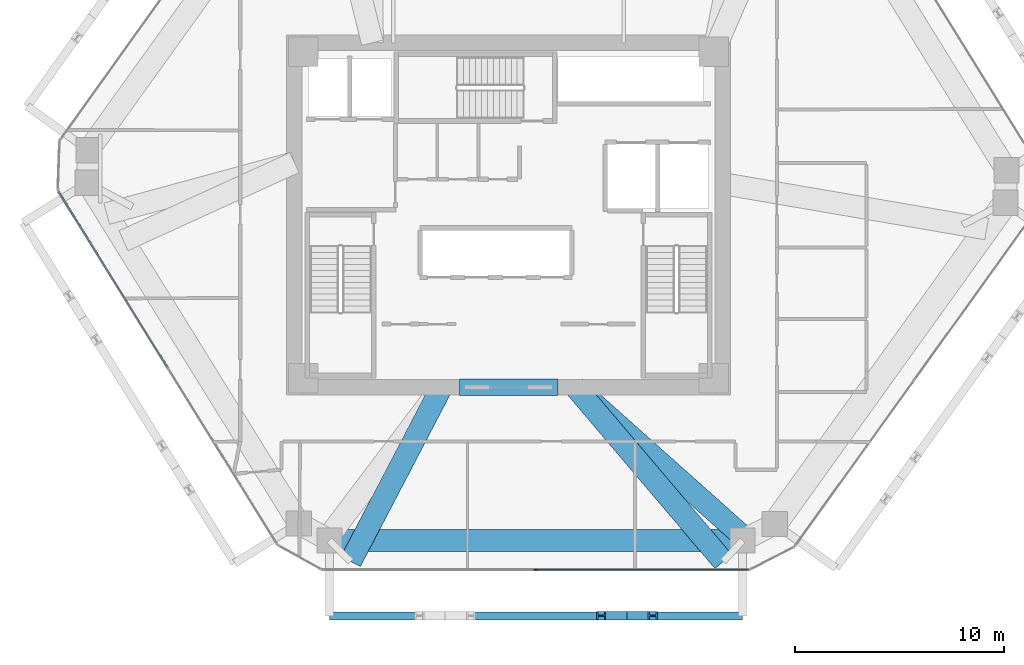
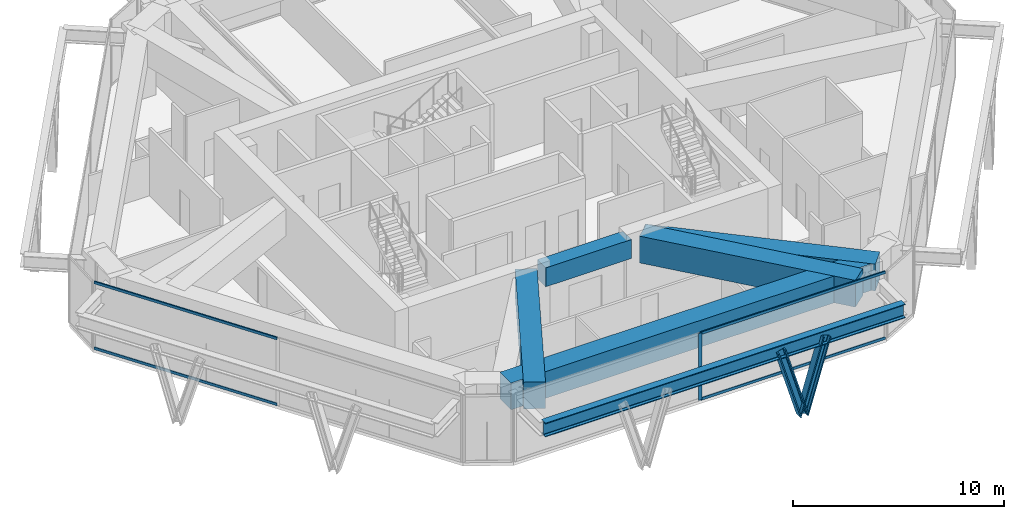
# One storey, part 3 of 14: 7 members, 6 beams, 2 elements without a shape of their own.
"""IFC4 building model written with IfcOpenShell, lengths in metres."""

from ifc_helpers import new_model, si_unit, direction, frame, origin, origin_2d, place, context, subcontext, project, spatial, rectangle, i_section, extrude, source, transform, mapped, material, layer, layer_set, material_profile, profile_set, type_object, type_shapes, element, aggregate, save


model = new_model("IFC4")

# Units and contexts
model_context = context("Model", 3, precision=1e-05, world=origin(), true_north=direction((0.0, 1.0)))
body_context = subcontext(model_context, "Body", "Model", "MODEL_VIEW")
ifc_project = project(units=[si_unit("LENGTHUNIT", "METRE"), si_unit("AREAUNIT", "SQUARE_METRE"), si_unit("VOLUMEUNIT", "CUBIC_METRE"), si_unit("PLANEANGLEUNIT", "RADIAN"), si_unit("MASSUNIT", "GRAM", prefix="KILO")], contexts=[model_context])

# Site, building, storey
site_placement = place(None, origin())
site = spatial("IfcSite", under=ifc_project, at=site_placement, CompositionType="ELEMENT")
building_placement = place(site_placement, origin())
building = spatial("IfcBuilding", under=site, at=building_placement, Name="Durnholm Broadcast Tower", CompositionType="ELEMENT")
storey_placement = place(building_placement, frame((0.0, 0.0, 146.10009765625)))
storey = spatial("IfcBuildingStorey", under=building, at=storey_placement, Name="L40", CompositionType="ELEMENT", Elevation=146.10009765625)

# Beams
ifc_material_1 = material(Name="Concrete C70/85", Category="concrete")
ifc_material_profile_1 = material_profile(ifc_material_1, rectangle(XDim=0.800048828125, YDim=1.10009765625, at=origin_2d()), Name="RC800X1100")
ifc_profile_set_1 = profile_set([ifc_material_profile_1], Name="Concrete C70/85")
beam_type_1 = type_object("IfcBeamType", Name="BM-CB-RC1100", PredefinedType="LINTEL", material=ifc_profile_set_1)
shared_shape_1 = source(origin(), body_context, "Body", "SweptSolid", [
    extrude(rectangle(XDim=0.800048828125, YDim=1.10009765625, at=origin_2d()), origin(), (0.0, 0.0, 1.0), 4.7001953125),
])
type_shapes(beam_type_1, [shared_shape_1])
beam_1_placement = place(storey_placement, frame((-2.35009765625, -8.22509765625, 3.324951171875), z_axis=(1.0, 0.0, 0.0), x_axis=(0.0, 1.0, 0.0)))
element("IfcBeam", 1, at=beam_1_placement, inside=storey, type_object=beam_type_1, Name="L40 south core coupling lintel beam CB-S", PredefinedType="LINTEL", context=body_context, shape_type="MappedRepresentation", body=[
    mapped(shared_shape_1, transform((0.0, 0.0, 0.0), x_axis=(1.0, 0.0, 0.0), y_axis=(0.0, 1.0, 0.0), z_axis=(0.0, 0.0, 1.0), scale=1.0)),
])
ifc_material_2 = material(Name="Steel ASTM A992 Grade 50", Category="steel")
ifc_material_profile_2 = material_profile(ifc_material_2, i_section(OverallWidth=0.385009765625, OverallDepth=0.802978515625, WebThickness=0.023681640625, FlangeThickness=0.0419921875, FilletRadius=0.032958984375, at=origin_2d()), Name="W30X261")
ifc_profile_set_2 = profile_set([ifc_material_profile_2], Name="Steel ASTM A992 Grade 50")
beam_type_2 = type_object("IfcBeamType", Name="BM-EXO-TIE", PredefinedType="USERDEFINED", material=ifc_profile_set_2)
shared_shape_2 = source(origin(), body_context, "Body", "SweptSolid", [
    extrude(i_section(OverallWidth=0.385009765625, OverallDepth=0.802978515625, WebThickness=0.023681640625, FlangeThickness=0.0419921875, FilletRadius=0.032958984375, at=origin_2d()), origin(), (0.0, 0.0, 1.0), 19.72802734375),
])
type_shapes(beam_type_2, [shared_shape_2])
beam_2_placement = place(storey_placement, frame((-8.552001953125, -19.136962890625, 3.12841796875), z_axis=(1.0, 0.0, 0.0), x_axis=(0.0, 1.0, 0.0)))
element("IfcBeam", 2, at=beam_2_placement, inside=storey, type_object=beam_type_2, Name="L40 exoskeleton collector spandrel F1", PredefinedType="SPANDREL", context=body_context, shape_type="MappedRepresentation", body=[
    mapped(shared_shape_2, transform((0.0, 0.0, 0.0), x_axis=(1.0, 0.0, 0.0), y_axis=(0.0, 1.0, 0.0), z_axis=(0.0, 0.0, 1.0), scale=1.0)),
])
ifc_material_profile_3 = material_profile(ifc_material_1, rectangle(XDim=1.050048828125, YDim=1.550048828125, at=origin_2d()), Name="RC1050X1550")
ifc_profile_set_3 = profile_set([ifc_material_profile_3], Name="Concrete C70/85")
beam_type_3 = type_object("IfcBeamType", Name="BM-TG-RC1550", PredefinedType="USERDEFINED", material=ifc_profile_set_3)
shared_shape_3 = source(origin(), body_context, "Body", "SweptSolid", [
    extrude(rectangle(XDim=1.050048828125, YDim=1.550048828125, at=origin_2d()), origin(), (0.0, 0.0, 1.0), 19.72802734375),
])
beam_3_placement = place(storey_placement, frame((11.176025390625, -15.537109375, 3.10498046875), z_axis=(-1.0, 0.0, 0.0), x_axis=(0.0, -1.0, 0.0)))
element("IfcBeam", 3, at=beam_3_placement, inside=storey, type_object=beam_type_3, Name="L40 perimeter transfer spandrel girder 11", PredefinedType="SPANDREL", context=body_context, shape_type="MappedRepresentation", body=[
    mapped(shared_shape_3, transform((0.0, 0.0, 0.0), x_axis=(1.0, 0.0, 0.0), y_axis=(0.0, 1.0, 0.0), z_axis=(0.0, 0.0, 1.0), scale=1.0)),
])
shared_shape_4 = source(origin(), body_context, "Body", "SweptSolid", [
    extrude(rectangle(XDim=1.050048828125, YDim=1.550048828125, at=origin_2d()), origin(), (0.0, 0.0, 1.0), 11.385498046875),
])
beam_4_placement = place(storey_placement, frame((3.199951171875, -8.22509765625, 3.10498046875), z_axis=(0.746542676897, -0.665337532063, 0.0), x_axis=(0.665337532063, 0.746542676897, 0.0)))
element("IfcBeam", 4, at=beam_4_placement, inside=storey, type_object=beam_type_3, Name="L40 radial setback transfer girder 10", ObjectType="GIRDER", PredefinedType="USERDEFINED", context=body_context, shape_type="MappedRepresentation", body=[
    mapped(shared_shape_4, transform((0.0, 0.0, 0.0), x_axis=(1.0, 0.0, 0.0), y_axis=(0.0, 1.0, 0.0), z_axis=(0.0, 0.0, 1.0), scale=1.0)),
])
shared_shape_5 = source(origin(), body_context, "Body", "SweptSolid", [
    extrude(rectangle(XDim=1.050048828125, YDim=1.550048828125, at=origin_2d()), origin(), (0.0, 0.0, 1.0), 10.9072265625),
])
beam_5_placement = place(storey_placement, frame((3.199951171875, -8.22509765625, 3.10498046875), z_axis=(0.646971138264, -0.762514489209, 0.0), x_axis=(0.762514489209, 0.646971138264, 0.0)))
element("IfcBeam", 5, at=beam_5_placement, inside=storey, type_object=beam_type_3, Name="L40 radial setback transfer girder 11", ObjectType="GIRDER", PredefinedType="USERDEFINED", context=body_context, shape_type="MappedRepresentation", body=[
    mapped(shared_shape_5, transform((0.0, 0.0, 0.0), x_axis=(1.0, 0.0, 0.0), y_axis=(0.0, 1.0, 0.0), z_axis=(0.0, 0.0, 1.0), scale=1.0)),
])
shared_shape_6 = source(origin(), body_context, "Body", "SweptSolid", [
    extrude(rectangle(XDim=1.050048828125, YDim=1.550048828125, at=origin_2d()), origin(), (0.0, 0.0, 1.0), 9.381103515625),
])
type_shapes(beam_type_3, [shared_shape_3, shared_shape_4, shared_shape_5, shared_shape_6])
beam_6_placement = place(storey_placement, frame((-3.199951171875, -8.22509765625, 3.10498046875), z_axis=(-0.462595357135, -0.886569532274, 0.0), x_axis=(0.886569532274, -0.462595357135, 0.0)))
element("IfcBeam", 6, at=beam_6_placement, inside=storey, type_object=beam_type_3, Name="L40 radial setback transfer girder 12", ObjectType="GIRDER", PredefinedType="USERDEFINED", context=body_context, shape_type="MappedRepresentation", body=[
    mapped(shared_shape_6, transform((0.0, 0.0, 0.0), x_axis=(1.0, 0.0, 0.0), y_axis=(0.0, 1.0, 0.0), z_axis=(0.0, 0.0, 1.0), scale=1.0)),
])

# Members
ifc_material_3 = material(Name="Steel ASTM A913 Grade 65", Category="steel")
ifc_material_profile_4 = material_profile(ifc_material_3, i_section(OverallWidth=0.41845703125, OverallDepth=0.455078125, WebThickness=0.0419921875, FlangeThickness=0.067626953125, FilletRadius=0.030517578125, at=origin_2d()), Name="W14X370")
ifc_profile_set_4 = profile_set([ifc_material_profile_4], Name="Steel ASTM A913 Grade 65")
member_type_1 = type_object("IfcMemberType", Name="STL-DG-W14X370", PredefinedType="BRACE", material=ifc_profile_set_4)
shared_shape_7 = source(origin(), body_context, "Body", "SweptSolid", [
    extrude(i_section(OverallWidth=0.41845703125, OverallDepth=0.455078125, WebThickness=0.0419921875, FlangeThickness=0.067626953125, FilletRadius=0.030517578125, at=origin_2d()), origin(), (0.0, 0.0, 1.0), 4.30078125),
])
member_1_placement = place(storey_placement, frame((5.65234375, -19.136962890625, -0.991455078125), z_axis=(-0.286905169105, 0.0, 0.957958988653), x_axis=(0.0, -1.0, 0.0)))
element("IfcMember", 7, at=member_1_placement, inside=storey, type_object=member_type_1, Name="L40 stand-off diagrid brace F1.D2.1", PredefinedType="BRACE", context=body_context, shape_type="MappedRepresentation", body=[
    mapped(shared_shape_7, transform((0.0, 0.0, 0.0), x_axis=(1.0, 0.0, 0.0), y_axis=(0.0, 1.0, 0.0), z_axis=(0.0, 0.0, 1.0), scale=1.0)),
])
shared_shape_8 = source(origin(), body_context, "Body", "SweptSolid", [
    extrude(i_section(OverallWidth=0.41845703125, OverallDepth=0.455078125, WebThickness=0.0419921875, FlangeThickness=0.067626953125, FilletRadius=0.030517578125, at=origin_2d()), origin(), (0.0, 0.0, 1.0), 4.300537109375),
])
type_shapes(member_type_1, [shared_shape_7, shared_shape_8])
member_2_placement = place(storey_placement, frame((5.65234375, -19.136962890625, -0.991455078125), z_axis=(0.286853072721, 0.0, 0.957974589783), x_axis=(0.0, 1.0, 0.0)))
element("IfcMember", 8, at=member_2_placement, inside=storey, type_object=member_type_1, Name="L40 stand-off diagrid brace F1.D2.2", PredefinedType="BRACE", context=body_context, shape_type="MappedRepresentation", body=[
    mapped(shared_shape_8, transform((0.0, 0.0, 0.0), x_axis=(1.0, 0.0, 0.0), y_axis=(0.0, 1.0, 0.0), z_axis=(0.0, 0.0, 1.0), scale=1.0)),
])

# Curtain wall, members
ifc_material_4 = material(Name="Aluminium and Solar Control IGU", Category="aluminium")
ifc_layer = layer(ifc_material_4, 0.18994140625)
ifc_layer_set = layer_set([ifc_layer], Name="Aluminium and Solar Control IGU")
curtain_wall_type = type_object("IfcCurtainWallType", Name="CW-SYS-3", PredefinedType="NOTDEFINED", material=ifc_layer_set)
curtain_wall_1_placement = place(storey_placement, origin())
curtain_wall_1 = element("IfcCurtainWall", 9, at=curtain_wall_1_placement, inside=storey, type_object=curtain_wall_type, Name="L40 curtain wall CW-Z12-VIS CW-L40-F10", PredefinedType="NOTDEFINED")
ifc_material_5 = material(Name="Aluminium 6063-T6", Category="aluminium")
ifc_material_profile_5 = material_profile(ifc_material_5, rectangle(XDim=0.070068359375, YDim=0.14990234375, at=origin_2d()), Name="CWT70X150")
ifc_profile_set_5 = profile_set([ifc_material_profile_5], Name="Aluminium 6063-T6")
member_type_2 = type_object("IfcMemberType", Name="CW-SYS-3-TRN", PredefinedType="USERDEFINED", material=ifc_profile_set_5)
shared_shape_9 = source(origin(), body_context, "Body", "SweptSolid", [
    extrude(rectangle(XDim=0.070068359375, YDim=0.14990234375, at=origin_2d()), origin(), (0.0, 0.0, 1.0), 10.109619140625),
])
member_3_placement = place(storey_placement, frame((11.444091796875, -16.93701171875, 0.034912109375), z_axis=(-1.0, 0.0, 0.0), x_axis=(0.0, -1.0, 0.0)))
member_3 = element("IfcMember", 10, at=member_3_placement, type_object=member_type_2, Name="CW-Z12-VIS transom 1.1", ObjectType="TRANSOM", PredefinedType="USERDEFINED", context=body_context, shape_type="MappedRepresentation", body=[
    mapped(shared_shape_9, transform((0.0, 0.0, 0.0), x_axis=(1.0, 0.0, 0.0), y_axis=(0.0, 1.0, 0.0), z_axis=(0.0, 0.0, 1.0), scale=1.0)),
])
member_4_placement = place(storey_placement, frame((11.444091796875, -16.93701171875, 3.844970703125), z_axis=(-1.0, 0.0, 0.0), x_axis=(0.0, -1.0, 0.0)))
member_4 = element("IfcMember", 11, at=member_4_placement, type_object=member_type_2, Name="CW-Z12-VIS transom 1.2", ObjectType="TRANSOM", PredefinedType="USERDEFINED", context=body_context, shape_type="MappedRepresentation", body=[
    mapped(shared_shape_9, transform((0.0, 0.0, 0.0), x_axis=(1.0, 0.0, 0.0), y_axis=(0.0, 1.0, 0.0), z_axis=(0.0, 0.0, 1.0), scale=1.0)),
])

curtain_wall_2_placement = place(storey_placement, origin())
curtain_wall_2 = element("IfcCurtainWall", 12, at=curtain_wall_2_placement, inside=storey, type_object=curtain_wall_type, Name="L40 curtain wall CW-Z12-VIS CW-L40-F12", PredefinedType="NOTDEFINED")
shared_shape_10 = source(origin(), body_context, "Body", "SweptSolid", [
    extrude(rectangle(XDim=0.070068359375, YDim=0.14990234375, at=origin_2d()), origin(), (0.0, 0.0, 1.0), 9.85888671875),
])
type_shapes(member_type_2, [shared_shape_9, shared_shape_10])
member_5_placement = place(storey_placement, frame((-16.28271484375, -7.27294921875, 0.034912109375), z_axis=(-0.527119964735, 0.849790881793, 0.0), x_axis=(-0.849790881793, -0.527119964735, 0.0)))
member_5 = element("IfcMember", 13, at=member_5_placement, type_object=member_type_2, Name="CW-Z12-VIS transom 2.1", ObjectType="TRANSOM", PredefinedType="USERDEFINED", context=body_context, shape_type="MappedRepresentation", body=[
    mapped(shared_shape_10, transform((0.0, 0.0, 0.0), x_axis=(1.0, 0.0, 0.0), y_axis=(0.0, 1.0, 0.0), z_axis=(0.0, 0.0, 1.0), scale=1.0)),
])
member_6_placement = place(storey_placement, frame((-16.28271484375, -7.27294921875, 3.844970703125), z_axis=(-0.527119964735, 0.849790881793, 0.0), x_axis=(-0.849790881793, -0.527119964735, 0.0)))
member_6 = element("IfcMember", 14, at=member_6_placement, type_object=member_type_2, Name="CW-Z12-VIS transom 2.2", ObjectType="TRANSOM", PredefinedType="USERDEFINED", context=body_context, shape_type="MappedRepresentation", body=[
    mapped(shared_shape_10, transform((0.0, 0.0, 0.0), x_axis=(1.0, 0.0, 0.0), y_axis=(0.0, 1.0, 0.0), z_axis=(0.0, 0.0, 1.0), scale=1.0)),
])
aggregate(curtain_wall_2, [member_5, member_6])

# Member
ifc_material_profile_6 = material_profile(ifc_material_5, rectangle(XDim=0.070068359375, YDim=0.18994140625, at=origin_2d()), Name="CWM70X190")
ifc_profile_set_6 = profile_set([ifc_material_profile_6], Name="Aluminium 6063-T6")
member_type_3 = type_object("IfcMemberType", Name="CW-SYS-3-MUL", PredefinedType="MULLION", material=ifc_profile_set_6)
shared_shape_11 = source(origin(), body_context, "Body", "SweptSolid", [
    extrude(rectangle(XDim=0.070068359375, YDim=0.18994140625, at=origin_2d()), origin(), (0.0, 0.0, 1.0), 3.8798828125),
])
type_shapes(member_type_3, [shared_shape_11])
member_7_placement = place(storey_placement, frame((1.299560546875, -16.93701171875, 0.0), z_axis=(0.0, 0.0, 1.0), x_axis=(0.0, -1.0, 0.0)))
member_7 = element("IfcMember", 15, at=member_7_placement, type_object=member_type_3, Name="CW-Z12-VIS mullion 2", PredefinedType="MULLION", context=body_context, shape_type="MappedRepresentation", body=[
    mapped(shared_shape_11, transform((0.0, 0.0, 0.0), x_axis=(1.0, 0.0, 0.0), y_axis=(0.0, 1.0, 0.0), z_axis=(0.0, 0.0, 1.0), scale=1.0)),
])

aggregate(curtain_wall_1, [member_7, member_3, member_4])

save(model, "model.ifc")
